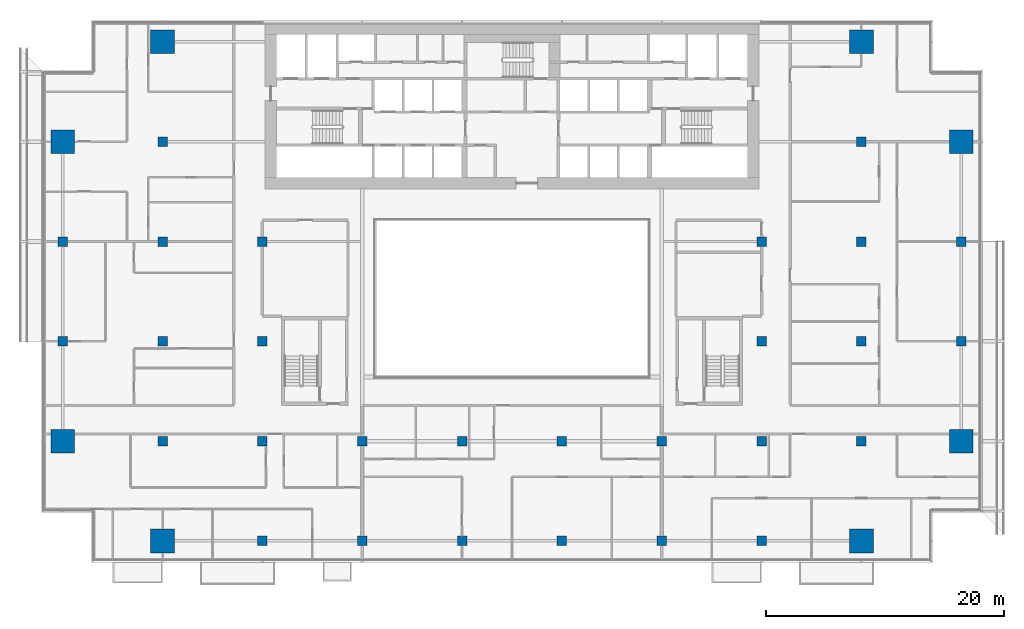
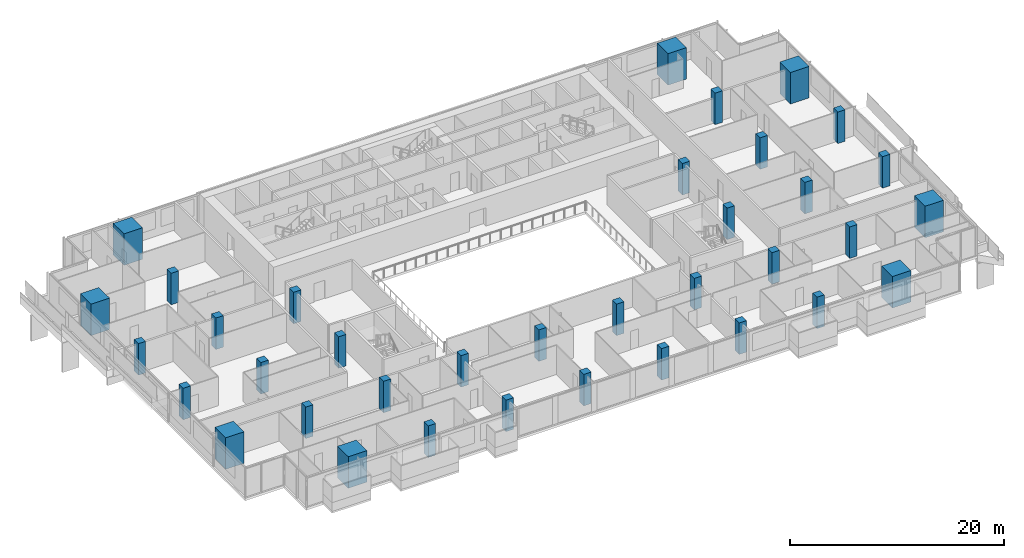
# One storey, part 1 of 27: 36 columns.
"""IFC4 building model written with IfcOpenShell, lengths in metres."""

from ifc_helpers import new_model, si_unit, direction, frame, origin, origin_2d, place, context, subcontext, project, spatial, rectangle, extrude, material, material_profile, profile_set, type_object, element, save


model = new_model("IFC4")

# Units and contexts
model_context = context("Model", 3, precision=1e-05, world=origin(), true_north=direction((0.0, 1.0)))
body_context = subcontext(model_context, "Body", "Model", "MODEL_VIEW")
ifc_project = project(units=[si_unit("LENGTHUNIT", "METRE"), si_unit("AREAUNIT", "SQUARE_METRE"), si_unit("VOLUMEUNIT", "CUBIC_METRE"), si_unit("PLANEANGLEUNIT", "RADIAN"), si_unit("MASSUNIT", "GRAM", prefix="KILO")], contexts=[model_context])

# Site, building, storey
site_placement = place(None, origin())
site = spatial("IfcSite", under=ifc_project, at=site_placement, CompositionType="ELEMENT")
building_placement = place(site_placement, origin())
building = spatial("IfcBuilding", under=site, at=building_placement, Name="Saffron Gate Tower", CompositionType="ELEMENT")
storey_placement = place(building_placement, frame((0.0, 0.0, 109.64990234375)))
storey = spatial("IfcBuildingStorey", under=building, at=storey_placement, Name="L25", CompositionType="ELEMENT", Elevation=109.64990234375)

# Columns
ifc_material_1 = material(Name="Concrete C60", Category="concrete")
ifc_material_profile_1 = material_profile(ifc_material_1, rectangle(XDim=0.800048828125, YDim=0.800048828125, at=origin_2d()))
ifc_profile_set_1 = profile_set([ifc_material_profile_1], Name="Concrete C60")
column_type_1 = type_object("IfcColumnType", Name="C5 RC 800x800 CONCRETE C60", PredefinedType="COLUMN", material=ifc_profile_set_1)
for number, where, z_axis, x_axis, name in (
    (1, (49.800048828125, 48.60009765625, 0.0), (0.0, 0.0, 1.0), (1.0, 0.0, 0.0), "C5 COLUMN X1-C"),
    (2, (49.800048828125, 57.0, 0.0), (0.0, 0.0, 1.0), (1.0, 0.0, 0.0), "C5 COLUMN X1-D"),
    (3, (58.199951171875, 40.199951171875, 0.0), (0.0, 0.0, 1.0), (1.0, 0.0, 0.0), "C5 COLUMN X2-B"),
    (4, (58.199951171875, 48.60009765625, 0.0), (0.0, 0.0, 1.0), (1.0, 0.0, 0.0), "C5 COLUMN X2-C"),
    (5, (58.199951171875, 57.0, 0.0), (0.0, 0.0, 1.0), (1.0, 0.0, 0.0), "C5 COLUMN X2-D"),
    (6, (58.199951171875, 65.39990234375, 0.0), (0.0, 0.0, 1.0), (1.0, 0.0, 0.0), "C5 COLUMN X2-E"),
    (7, (66.60009765625, 31.800048828125, 0.0), (0.0, 0.0, 1.0), (1.0, 0.0, 0.0), "C5 COLUMN X3-A"),
    (8, (66.60009765625, 40.199951171875, 0.0), (0.0, 0.0, 1.0), (1.0, 0.0, 0.0), "C5 COLUMN X3-B"),
    (9, (66.60009765625, 48.60009765625, 0.0), (0.0, 0.0, 1.0), (1.0, 0.0, 0.0), "C5 COLUMN X3-C"),
    (10, (66.60009765625, 57.0, 0.0), (0.0, 0.0, 1.0), (1.0, 0.0, 0.0), "C5 COLUMN X3-D"),
    (11, (75.0, 31.800048828125, 0.0), (0.0, 0.0, 1.0), (1.0, 0.0, 0.0), "C5 COLUMN X4-A"),
    (12, (75.0, 40.199951171875, 0.0), (0.0, 0.0, 1.0), (1.0, 0.0, 0.0), "C5 COLUMN X4-B"),
    (13, (83.39990234375, 31.800048828125, 0.0), (0.0, 0.0, 1.0), (1.0, 0.0, 0.0), "C5 COLUMN X5-A"),
    (14, (83.39990234375, 40.199951171875, 0.0), (0.0, 0.0, 1.0), (1.0, 0.0, 0.0), "C5 COLUMN X5-B"),
    (15, (91.800048828125, 31.800048828125, 0.0), (0.0, 0.0, 1.0), (1.0, 0.0, 0.0), "C5 COLUMN X6-A"),
    (16, (91.800048828125, 40.199951171875, 0.0), (0.0, 0.0, 1.0), (1.0, 0.0, 0.0), "C5 COLUMN X6-B"),
    (17, (100.199951171875, 31.800048828125, 0.0), (0.0, 0.0, 1.0), (1.0, 0.0, 0.0), "C5 COLUMN X7-A"),
    (18, (100.199951171875, 40.199951171875, 0.0), (0.0, 0.0, 1.0), (1.0, 0.0, 0.0), "C5 COLUMN X7-B"),
    (19, (108.60009765625, 31.800048828125, 0.0), (0.0, 0.0, 1.0), (1.0, 0.0, 0.0), "C5 COLUMN X8-A"),
    (20, (108.60009765625, 40.199951171875, 0.0), (0.0, 0.0, 1.0), (1.0, 0.0, 0.0), "C5 COLUMN X8-B"),
    (21, (108.60009765625, 48.60009765625, 0.0), (0.0, 0.0, 1.0), (1.0, 0.0, 0.0), "C5 COLUMN X8-C"),
    (22, (108.60009765625, 57.0, 0.0), (0.0, 0.0, 1.0), (1.0, 0.0, 0.0), "C5 COLUMN X8-D"),
    (23, (117.0, 40.199951171875, 0.0), (0.0, 0.0, 1.0), (1.0, 0.0, 0.0), "C5 COLUMN X9-B"),
    (24, (117.0, 48.60009765625, 0.0), (0.0, 0.0, 1.0), (1.0, 0.0, 0.0), "C5 COLUMN X9-C"),
    (25, (117.0, 57.0, 0.0), (0.0, 0.0, 1.0), (1.0, 0.0, 0.0), "C5 COLUMN X9-D"),
    (26, (117.0, 65.39990234375, 0.0), (0.0, 0.0, 1.0), (1.0, 0.0, 0.0), "C5 COLUMN X9-E"),
    (27, (125.39990234375, 48.60009765625, 0.0), (0.0, 0.0, 1.0), (1.0, 0.0, 0.0), "C5 COLUMN X10-C"),
    (28, (125.39990234375, 57.0, 0.0), (0.0, 0.0, 1.0), (1.0, 0.0, 0.0), "C5 COLUMN X10-D"),
):
    element("IfcColumn", number, at=place(storey_placement, frame(where, z_axis=z_axis, x_axis=x_axis)), inside=storey, type_object=column_type_1, Name=name, PredefinedType="COLUMN", context=body_context, shape_type="SweptSolid", body=[
        extrude(rectangle(XDim=0.800048828125, YDim=0.800048828125, at=origin_2d()), origin(), (0.0, 0.0, 1.0), 3.60009765625),
    ])
ifc_material_2 = material(Name="Concrete C80", Category="concrete")
ifc_material_profile_2 = material_profile(ifc_material_2, rectangle(XDim=2.0, YDim=2.0, at=origin_2d()))
ifc_profile_set_2 = profile_set([ifc_material_profile_2], Name="Concrete C80")
column_type_2 = type_object("IfcColumnType", Name="MC3 RC 2000x2000 CONCRETE C80", PredefinedType="COLUMN", material=ifc_profile_set_2)
for number, where, z_axis, x_axis, name in (
    (29, (49.800048828125, 40.199951171875, 0.0), (0.0, 0.0, 1.0), (1.0, 0.0, 0.0), "MC3 MEGA COLUMN X1-B"),
    (30, (49.800048828125, 65.39990234375, 0.0), (0.0, 0.0, 1.0), (1.0, 0.0, 0.0), "MC3 MEGA COLUMN X1-E"),
    (31, (58.199951171875, 31.800048828125, 0.0), (0.0, 0.0, 1.0), (1.0, 0.0, 0.0), "MC3 MEGA COLUMN X2-A"),
    (32, (58.199951171875, 73.800048828125, 0.0), (0.0, 0.0, 1.0), (1.0, 0.0, 0.0), "MC3 MEGA COLUMN X2-F"),
    (33, (117.0, 31.800048828125, 0.0), (0.0, 0.0, 1.0), (1.0, 0.0, 0.0), "MC3 MEGA COLUMN X9-A"),
    (34, (117.0, 73.800048828125, 0.0), (0.0, 0.0, 1.0), (1.0, 0.0, 0.0), "MC3 MEGA COLUMN X9-F"),
    (35, (125.39990234375, 40.199951171875, 0.0), (0.0, 0.0, 1.0), (1.0, 0.0, 0.0), "MC3 MEGA COLUMN X10-B"),
    (36, (125.39990234375, 65.39990234375, 0.0), (0.0, 0.0, 1.0), (1.0, 0.0, 0.0), "MC3 MEGA COLUMN X10-E"),
):
    element("IfcColumn", number, at=place(storey_placement, frame(where, z_axis=z_axis, x_axis=x_axis)), inside=storey, type_object=column_type_2, Name=name, PredefinedType="COLUMN", context=body_context, shape_type="SweptSolid", body=[
        extrude(rectangle(XDim=2.0, YDim=2.0, at=origin_2d()), origin(), (0.0, 0.0, 1.0), 3.60009765625),
    ])

save(model, "model.ifc")
